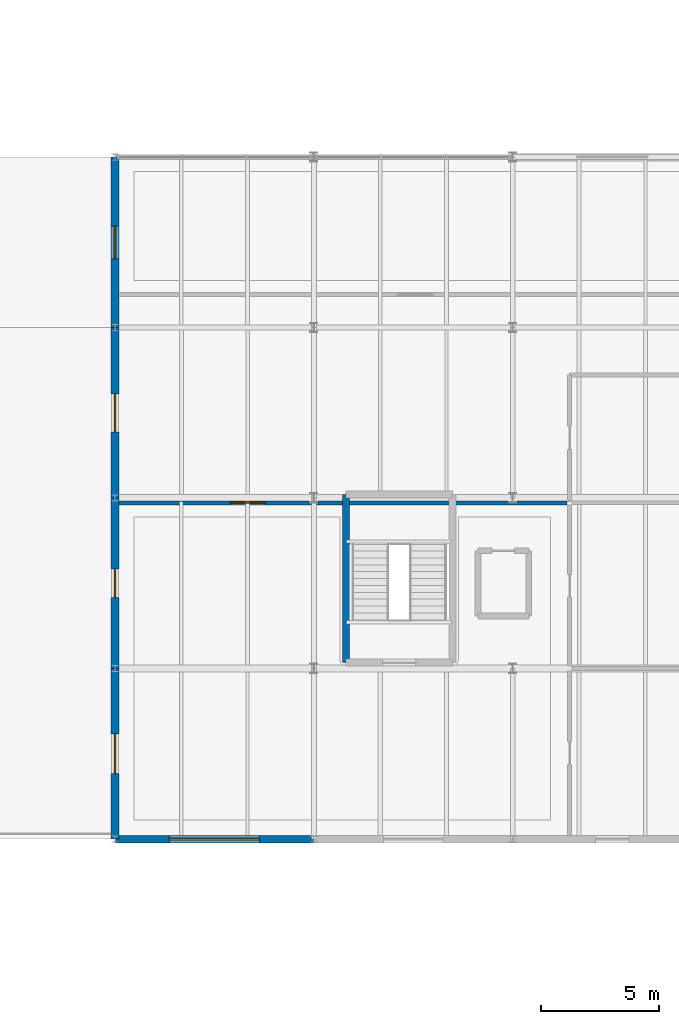
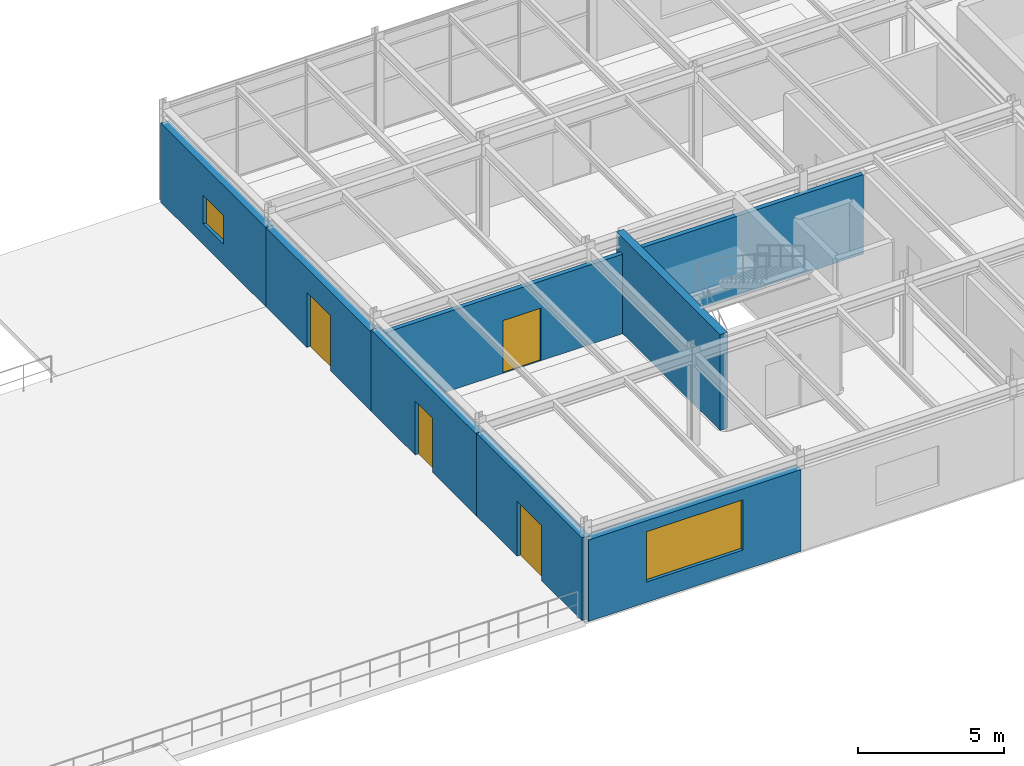
# One storey, part 62 of 73: 7 walls, 4 doors, 2 windows, 6 openings.
"""IFC4 building model written with IfcOpenShell, lengths in metres."""

from ifc_helpers import new_model, si_unit, derived_unit, direction, frame, frame_2d, origin, place, context, subcontext, project, spatial, rectangle, extrude, material, layer, layer_set, type_object, element, fill, save


model = new_model("IFC4")

# Units and contexts
model_context = context("Model", 3, precision=1e-05, world=origin(), true_north=direction((0.0, 1.0)))
body_context = subcontext(model_context, "Body", "Model", "MODEL_VIEW")
ifc_project = project(units=[si_unit("LENGTHUNIT", "METRE"), si_unit("AREAUNIT", "SQUARE_METRE"), si_unit("VOLUMEUNIT", "CUBIC_METRE"), si_unit("PLANEANGLEUNIT", "RADIAN"), si_unit("MASSUNIT", "GRAM", prefix="KILO"), derived_unit("THERMALTRANSMITTANCEUNIT", [(si_unit("MASSUNIT", "GRAM", prefix="KILO"), 1), (si_unit("TIMEUNIT", "SECOND"), -3), (si_unit("THERMODYNAMICTEMPERATUREUNIT", "KELVIN"), -1)])], contexts=[model_context])

# Site, building, storey
site_placement = place(None, origin())
site = spatial("IfcSite", under=ifc_project, at=site_placement, CompositionType="ELEMENT")
building_placement = place(site_placement, origin())
building = spatial("IfcBuilding", under=site, at=building_placement, Name="Kharveza Railside Sports Centre", CompositionType="ELEMENT")
storey_placement = place(building_placement, frame((0.0, 0.0, 8.699951171875)))
storey = spatial("IfcBuildingStorey", under=building, at=storey_placement, Name="L02", CompositionType="ELEMENT", Elevation=8.699951171875)

# Wall
ifc_material_1 = material(Name="Concrete C35/45", Category="concrete")
ifc_layer_1 = layer(ifc_material_1, 0.300048828125, Name="Concrete C35/45")
ifc_layer_set_1 = layer_set([ifc_layer_1], Name="Concrete C35/45")
wall_type_1 = type_object("IfcWallType", Name="WL-CR300", PredefinedType="SHEAR", material=ifc_layer_set_1)
wall_1_placement = place(storey_placement, frame((127.35009765625, 21.75, 0.0), z_axis=(0.0, 0.0, 1.0), x_axis=(0.0, -1.0, 0.0)))
element("IfcWall", 1, at=wall_1_placement, inside=storey, type_object=wall_type_1, Name="WL-CORE-ST3-L02-W", PredefinedType="SHEAR", context=body_context, shape_type="SweptSolid", body=[
    extrude(rectangle(XDim=7.10009765625, YDim=0.300048828125, at=frame_2d((3.550048828125, 0.0))), origin(), (0.0, 0.0, 1.0), 4.0),
])

# Wall, opening, window
ifc_material_2 = material(Name="Precast concrete C40/50", Category="concrete")
ifc_layer_2 = layer(ifc_material_2, 0.320068359375, Name="Precast concrete C40/50")
ifc_layer_set_2 = layer_set([ifc_layer_2], Name="Precast concrete C40/50")
wall_type_2 = type_object("IfcWallType", Name="WL-EX320", PredefinedType="STANDARD", material=ifc_layer_set_2)
wall_2_placement = place(storey_placement, frame((117.60009765625, 36.0, 0.0), z_axis=(0.0, 0.0, 1.0), x_axis=(0.0, -1.0, 0.0)))
wall_2 = element("IfcWall", 2, at=wall_2_placement, inside=storey, type_object=wall_type_2, Name="WL-EXT-L02-161", PredefinedType="STANDARD", context=body_context, shape_type="SweptSolid", body=[
    extrude(rectangle(XDim=7.199951171875, YDim=0.320068359375, at=frame_2d((3.60009765625, 0.0))), origin(), (0.0, 0.0, 1.0), 3.304931640625),
])
opening_1_placement = place(wall_2_placement, frame((2.89990234375, 0.0, 0.85009765625)))
opening_1 = element("IfcOpeningElement", 3, at=opening_1_placement, cuts=wall_2, Name="Opening WN26", PredefinedType="OPENING", context=body_context, shape_type="SweptSolid", body=[
    extrude(rectangle(XDim=1.39990234375, YDim=1.199951171875, at=frame_2d((0.699951171875, 0.60009765625))), frame((0.0, 0.18505859375, 0.0), z_axis=(0.0, -1.0, 0.0), x_axis=(1.0, 0.0, 0.0)), (0.0, 0.0, 1.0), 0.369873046875),
])
ifc_material_3 = material(Name="Low-E solar-control laminated glass", Category="glass")
window_type_1 = type_object("IfcWindowType", Name="WN-Z10", PartitioningType="SINGLE_PANEL", PredefinedType="WINDOW", material=ifc_material_3)
window_1_placement = place(opening_1_placement, origin())
window_1 = element("IfcWindow", 4, at=window_1_placement, inside=storey, type_object=window_type_1, Name="WN-EXT-L02-088", OverallHeight=1.199951171875, OverallWidth=1.39990234375, PartitioningType="SINGLE_PANEL", PredefinedType="WINDOW", context=body_context, shape_type="SweptSolid", body=[
    extrude(rectangle(XDim=1.39990234375, YDim=1.199951171875, at=frame_2d((0.699951171875, 0.60009765625))), frame((0.0, 0.030029296875, 0.0), z_axis=(0.0, -1.0, 0.0), x_axis=(1.0, 0.0, 0.0)), (0.0, 0.0, 1.0), 0.06005859375),
])
fill(opening_1, window_1)

# Wall, opening, door
wall_3_placement = place(storey_placement, frame((117.60009765625, 28.800048828125, 0.0), z_axis=(0.0, 0.0, 1.0), x_axis=(0.0, -1.0, 0.0)))
wall_3 = element("IfcWall", 5, at=wall_3_placement, inside=storey, type_object=wall_type_2, Name="WL-EXT-L02-162", PredefinedType="STANDARD", context=body_context, shape_type="SweptSolid", body=[
    extrude(rectangle(XDim=7.199951171875, YDim=0.320068359375, at=frame_2d((3.60009765625, 0.0))), origin(), (0.0, 0.0, 1.0), 3.304931640625),
])
opening_2_placement = place(wall_3_placement, frame((2.800048828125, 0.0, 0.0)))
opening_2 = element("IfcOpeningElement", 6, at=opening_2_placement, cuts=wall_3, Name="Opening D04", PredefinedType="OPENING", context=body_context, shape_type="SweptSolid", body=[
    extrude(rectangle(XDim=1.60009765625, YDim=2.300048828125, at=frame_2d((0.800048828125, 1.14990234375))), frame((0.0, 0.18505859375, 0.0), z_axis=(0.0, -1.0, 0.0), x_axis=(1.0, 0.0, 0.0)), (0.0, 0.0, 1.0), 0.369873046875),
])
ifc_material_4 = material(Name="Anodised aluminium 6063-T6", Category="aluminium")
door_type_1 = type_object("IfcDoorType", Name="DR-EX04", OperationType="NOTDEFINED", PredefinedType="DOOR", material=ifc_material_4)
door_1_placement = place(opening_2_placement, frame((1.60009765625, 0.0, 0.0), z_axis=(0.0, 0.0, 1.0), x_axis=(-1.0, 0.0, 0.0)))
door_1 = element("IfcDoor", 7, at=door_1_placement, inside=storey, type_object=door_type_1, Name="DR-TERR-L02-030", OperationType="DOUBLE_DOOR_SINGLE_SWING", OverallHeight=2.300048828125, OverallWidth=1.60009765625, PredefinedType="DOOR", context=body_context, shape_type="SweptSolid", body=[
    extrude(rectangle(XDim=1.60009765625, YDim=2.300048828125, at=frame_2d((0.800048828125, 1.14990234375))), frame((0.0, 0.02490234375, 0.0), z_axis=(0.0, -1.0, 0.0), x_axis=(1.0, 0.0, 0.0)), (0.0, 0.0, 1.0), 0.050048828125),
])
fill(opening_2, door_1)

wall_4_placement = place(storey_placement, frame((117.60009765625, 21.60009765625, 0.0), z_axis=(0.0, 0.0, 1.0), x_axis=(0.0, -1.0, 0.0)))
wall_4 = element("IfcWall", 8, at=wall_4_placement, inside=storey, type_object=wall_type_2, Name="WL-EXT-L02-163", PredefinedType="STANDARD", context=body_context, shape_type="SweptSolid", body=[
    extrude(rectangle(XDim=7.2001953125, YDim=0.320068359375, at=frame_2d((3.60009765625, 0.0))), origin(), (0.0, 0.0, 1.0), 3.405029296875),
])
opening_3_placement = place(wall_4_placement, frame((3.0, 0.0, 0.0)))
opening_3 = element("IfcOpeningElement", 9, at=opening_3_placement, cuts=wall_4, Name="Opening D05", PredefinedType="OPENING", context=body_context, shape_type="SweptSolid", body=[
    extrude(rectangle(XDim=1.199951171875, YDim=2.25, at=frame_2d((0.60009765625, 1.125))), frame((0.0, 0.18505859375, 0.0), z_axis=(0.0, -1.0, 0.0), x_axis=(1.0, 0.0, 0.0)), (0.0, 0.0, 1.0), 0.369873046875),
])
door_type_2 = type_object("IfcDoorType", Name="DR-EX05", OperationType="NOTDEFINED", PredefinedType="DOOR", material=ifc_material_4)
door_2_placement = place(opening_3_placement, frame((1.199951171875, 0.0, 0.0), z_axis=(0.0, 0.0, 1.0), x_axis=(-1.0, 0.0, 0.0)))
door_2 = element("IfcDoor", 10, at=door_2_placement, inside=storey, type_object=door_type_2, Name="DR-TERR-L02-031", OperationType="SINGLE_SWING_LEFT", OverallHeight=2.25, OverallWidth=1.199951171875, PredefinedType="DOOR", context=body_context, shape_type="SweptSolid", body=[
    extrude(rectangle(XDim=1.199951171875, YDim=2.25, at=frame_2d((0.60009765625, 1.125))), frame((0.0, 0.02490234375, 0.0), z_axis=(0.0, -1.0, 0.0), x_axis=(1.0, 0.0, 0.0)), (0.0, 0.0, 1.0), 0.050048828125),
])
fill(opening_3, door_2)

wall_5_placement = place(storey_placement, frame((117.60009765625, 14.39990234375, 0.0), z_axis=(0.0, 0.0, 1.0), x_axis=(0.0, -1.0, 0.0)))
wall_5 = element("IfcWall", 11, at=wall_5_placement, inside=storey, type_object=wall_type_2, Name="WL-EXT-L02-164", PredefinedType="STANDARD", context=body_context, shape_type="SweptSolid", body=[
    extrude(rectangle(XDim=7.199951171875, YDim=0.320068359375, at=frame_2d((3.60009765625, 0.0))), origin(), (0.0, 0.0, 1.0), 3.455078125),
])
opening_4_placement = place(wall_5_placement, frame((2.760009765625, 0.0, 0.0)))
opening_4 = element("IfcOpeningElement", 12, at=opening_4_placement, cuts=wall_5, Name="Opening D33", PredefinedType="OPENING", context=body_context, shape_type="SweptSolid", body=[
    extrude(rectangle(XDim=1.679931640625, YDim=2.300048828125, at=frame_2d((0.83984375, 1.14990234375))), frame((0.0, 0.18505859375, 0.0), z_axis=(0.0, -1.0, 0.0), x_axis=(1.0, 0.0, 0.0)), (0.0, 0.0, 1.0), 0.369873046875),
])
door_type_3 = type_object("IfcDoorType", Name="DR-Z09", OperationType="NOTDEFINED", PredefinedType="DOOR", material=ifc_material_4)
door_3_placement = place(opening_4_placement, frame((1.679931640625, 0.0, 0.0), z_axis=(0.0, 0.0, 1.0), x_axis=(-1.0, 0.0, 0.0)))
door_3 = element("IfcDoor", 13, at=door_3_placement, inside=storey, type_object=door_type_3, Name="DR-TERR-L02-032", OperationType="SINGLE_SWING_RIGHT", OverallHeight=2.300048828125, OverallWidth=1.679931640625, PredefinedType="DOOR", context=body_context, shape_type="SweptSolid", body=[
    extrude(rectangle(XDim=1.679931640625, YDim=2.300048828125, at=frame_2d((0.83984375, 1.14990234375))), frame((0.0, 0.02490234375, 0.0), z_axis=(0.0, -1.0, 0.0), x_axis=(1.0, 0.0, 0.0)), (0.0, 0.0, 1.0), 0.050048828125),
])
fill(opening_4, door_3)

# Wall, opening, window
wall_6_placement = place(storey_placement, frame((117.60009765625, 7.199951171875, 0.0), z_axis=(0.0, 0.0, 1.0), x_axis=(1.0, 0.0, 0.0)))
wall_6 = element("IfcWall", 14, at=wall_6_placement, inside=storey, type_object=wall_type_2, Name="WL-EXT-L02-165", PredefinedType="STANDARD", context=body_context, shape_type="SweptSolid", body=[
    extrude(rectangle(XDim=8.39990234375, YDim=0.320068359375, at=frame_2d((4.199951171875, 0.0))), origin(), (0.0, 0.0, 1.0), 3.405029296875),
])
opening_5_placement = place(wall_6_placement, frame((2.300048828125, 0.0, 0.85009765625)))
opening_5 = element("IfcOpeningElement", 15, at=opening_5_placement, cuts=wall_6, Name="Opening WN17", PredefinedType="OPENING", context=body_context, shape_type="SweptSolid", body=[
    extrude(rectangle(XDim=3.800048828125, YDim=2.10009765625, at=frame_2d((1.89990234375, 1.050048828125))), frame((0.0, 0.18505859375, 0.0), z_axis=(0.0, -1.0, 0.0), x_axis=(1.0, 0.0, 0.0)), (0.0, 0.0, 1.0), 0.369873046875),
])
window_type_2 = type_object("IfcWindowType", Name="WN-Z01", PartitioningType="SINGLE_PANEL", PredefinedType="WINDOW", material=ifc_material_3)
window_2_placement = place(opening_5_placement, origin())
window_2 = element("IfcWindow", 16, at=window_2_placement, inside=storey, type_object=window_type_2, Name="WN-EXT-L02-089", OverallHeight=2.10009765625, OverallWidth=3.800048828125, PartitioningType="SINGLE_PANEL", PredefinedType="WINDOW", context=body_context, shape_type="SweptSolid", body=[
    extrude(rectangle(XDim=3.800048828125, YDim=2.10009765625, at=frame_2d((1.89990234375, 1.050048828125))), frame((0.0, 0.030029296875, 0.0), z_axis=(0.0, -1.0, 0.0), x_axis=(1.0, 0.0, 0.0)), (0.0, 0.0, 1.0), 0.06005859375),
])
fill(opening_5, window_2)

# Wall, opening, door
ifc_material_5 = material(Name="Gypsum board acoustic stud partition")
ifc_layer_3 = layer(ifc_material_5, 0.175048828125, Name="Gypsum board acoustic stud partition")
ifc_layer_set_3 = layer_set([ifc_layer_3], Name="Gypsum board acoustic stud partition")
wall_type_3 = type_object("IfcWallType", Name="WL-PT175", PredefinedType="PARTITIONING", material=ifc_layer_set_3)
wall_7_placement = place(storey_placement, frame((117.75, 21.39990234375, 0.0), z_axis=(0.0, 0.0, 1.0), x_axis=(1.0, 0.0, 0.0)))
wall_7 = element("IfcWall", 17, at=wall_7_placement, inside=storey, type_object=wall_type_3, Name="WL-INT-L02-074", PredefinedType="PARTITIONING", context=body_context, shape_type="SweptSolid", body=[
    extrude(rectangle(XDim=18.949951171875, YDim=0.175048828125, at=frame_2d((9.47509765625, 0.0))), origin(), (0.0, 0.0, 1.0), 3.320068359375),
])
opening_6_placement = place(wall_7_placement, frame((4.72509765625, 0.0, 0.0)))
opening_6 = element("IfcOpeningElement", 18, at=opening_6_placement, cuts=wall_7, Name="Opening D15", PredefinedType="OPENING", context=body_context, shape_type="SweptSolid", body=[
    extrude(rectangle(XDim=1.5, YDim=2.199951171875, at=frame_2d((0.75, 1.10009765625))), frame((0.0, 0.1123046875, 0.0), z_axis=(0.0, -1.0, 0.0), x_axis=(1.0, 0.0, 0.0)), (0.0, 0.0, 1.0), 0.224853515625),
])
ifc_material_6 = material(Name="Fire-rated hardwood door leaf", Category="wood")
door_type_4 = type_object("IfcDoorType", Name="DR-IN03", OperationType="NOTDEFINED", PredefinedType="DOOR", material=ifc_material_6)
door_4_placement = place(opening_6_placement, origin())
door_4 = element("IfcDoor", 19, at=door_4_placement, inside=storey, type_object=door_type_4, Name="DR-INT-L02-041", OperationType="DOUBLE_DOOR_SINGLE_SWING", OverallHeight=2.199951171875, OverallWidth=1.5, PredefinedType="DOOR", context=body_context, shape_type="SweptSolid", body=[
    extrude(rectangle(XDim=1.5, YDim=2.199951171875, at=frame_2d((0.75, 1.10009765625))), frame((0.0, 0.02490234375, 0.0), z_axis=(0.0, -1.0, 0.0), x_axis=(1.0, 0.0, 0.0)), (0.0, 0.0, 1.0), 0.050048828125),
])
fill(opening_6, door_4)

save(model, "model.ifc")
